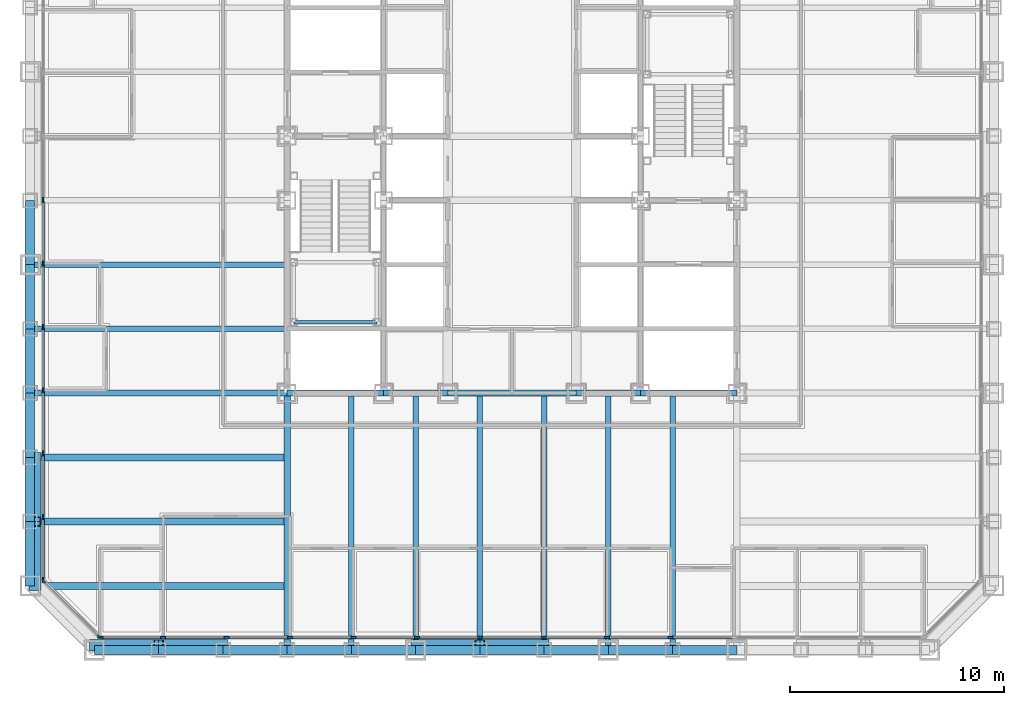
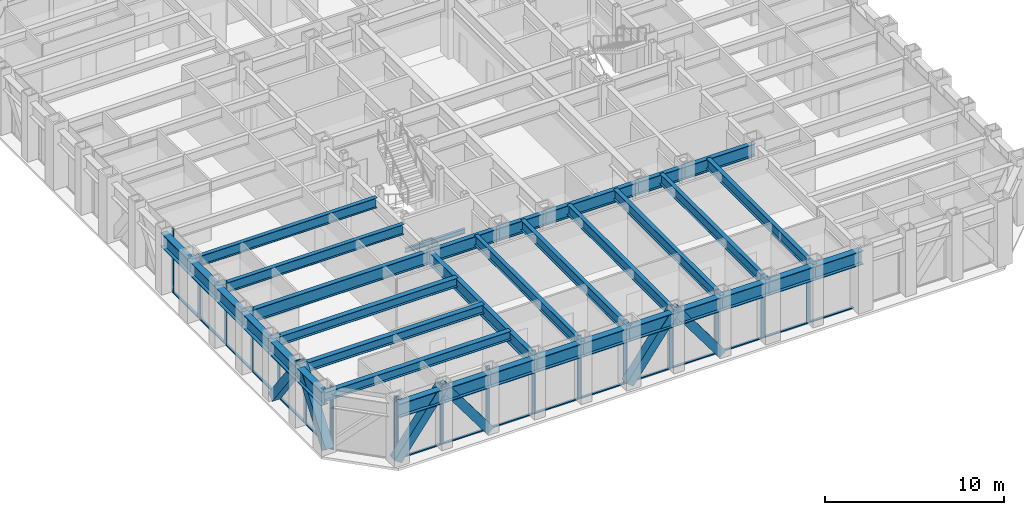
# One storey, part 2 of 16: 41 members, 35 beams, 3 elements without a shape of their own.
"""IFC4 building model written with IfcOpenShell, lengths in metres."""

import ifcopenshell
import ifcopenshell.guid

model = None  # the IFC model being written
_history = None  # IfcOwnerHistory: only IFC2X3 demands one
_inside = {}  # id of a spatial element -> (the spatial element, [elements in it])
_under = {}  # id of a project, library or spatial element -> (it, [spatial elements below it])
_declared = {}  # id of a project -> (the project, [libraries it declares])
_typed = {}  # id of a type object -> (the type object, [elements of that type])
_made_of = {}  # id of a material, layer set ... -> (it, [elements and type objects made of it])


def new_model(schema):
    """Start an empty IFC model of exactly this schema.

    Asked for "IFC4X3", IfcOpenShell would pick the latest addendum, in which some entities
    have other attributes; the version numbers below select the first issue.
    IFC2X3 requires an IfcOwnerHistory on every rooted entity: one is made here for all.
    """
    global model, _history
    if schema == "IFC4X3":
        model = ifcopenshell.file(schema_version=(4, 3, 0, 0))
    else:
        model = ifcopenshell.file(schema=schema)
    _inside.clear()
    _under.clear()
    _declared.clear()
    _typed.clear()
    _made_of.clear()
    _history = None
    if model.schema == "IFC2X3":
        org = make("IfcOrganization", Name="unknown")
        user = make(
            "IfcPersonAndOrganization",
            ThePerson=make("IfcPerson", FamilyName="unknown"),
            TheOrganization=org,
        )
        app = make(
            "IfcApplication",
            ApplicationDeveloper=org,
            Version="unknown",
            ApplicationFullName="unknown",
            ApplicationIdentifier="unknown",
        )
        _history = make(
            "IfcOwnerHistory",
            OwningUser=user,
            OwningApplication=app,
            ChangeAction="ADDED",
            CreationDate=0,
        )
    return model


def make(cls, **values):
    """One entity of the class cls with the attributes given. An attribute that is None is left unset."""
    return model.create_entity(
        cls, **{name: value for name, value in values.items() if value is not None}
    )


def rooted(cls, **values):
    """An entity with a GlobalId (a new one), such as an element, a storey or a relation."""
    return make(cls, GlobalId=ifcopenshell.guid.new(), OwnerHistory=_history, **values)


def si_unit(unit_type, name, prefix=None):
    """IfcSIUnit, for example si_unit("LENGTHUNIT", "METRE", prefix="MILLI")."""
    return make("IfcSIUnit", UnitType=unit_type, Prefix=prefix, Name=name)


def assignment(units):
    """IfcUnitAssignment: the units of a project."""
    return None if units is None else make("IfcUnitAssignment", Units=units)


def point(xyz):
    """IfcCartesianPoint."""
    return None if xyz is None else make("IfcCartesianPoint", Coordinates=xyz)


def direction(xyz):
    """IfcDirection."""
    return None if xyz is None else make("IfcDirection", DirectionRatios=xyz)


def frame(location, z_axis=None, x_axis=None):
    """IfcAxis2Placement3D, a coordinate frame: its origin and axes. An axis left out is left unset."""
    return make(
        "IfcAxis2Placement3D",
        Location=point(location),
        Axis=direction(z_axis),
        RefDirection=direction(x_axis),
    )


def frame_2d(location, x_axis=None):
    """IfcAxis2Placement2D, a coordinate frame in the plane: its origin and x axis."""
    return make(
        "IfcAxis2Placement2D", Location=point(location), RefDirection=direction(x_axis)
    )


def origin():
    """The frame at (0, 0, 0) with its axes left unset."""
    return frame((0.0, 0.0, 0.0))


def origin_2d():
    """The frame at (0, 0) in the plane with its x axis left unset."""
    return frame_2d((0.0, 0.0))


def place(relative_to, where):
    """IfcLocalPlacement: puts the frame where relative to a parent placement (None: the world)."""
    return make(
        "IfcLocalPlacement", PlacementRelTo=relative_to, RelativePlacement=where
    )


def context(
    kind, dimensions, precision=None, world=None, true_north=None, identifier=None
):
    """IfcGeometricRepresentationContext, for example the 3D "Model" context."""
    return make(
        "IfcGeometricRepresentationContext",
        ContextIdentifier=identifier,
        ContextType=kind,
        CoordinateSpaceDimension=dimensions,
        Precision=precision,
        WorldCoordinateSystem=world,
        TrueNorth=true_north,
    )


def subcontext(parent, identifier, kind, view, scale=None):
    """IfcGeometricRepresentationSubContext, for example "Body" below "Model"."""
    return make(
        "IfcGeometricRepresentationSubContext",
        ContextIdentifier=identifier,
        ContextType=kind,
        ParentContext=parent,
        TargetScale=scale,
        TargetView=view,
    )


def project(units=None, contexts=None):
    """IfcProject with its units and contexts."""
    return rooted(
        "IfcProject",
        Name="project",
        RepresentationContexts=contexts,
        UnitsInContext=assignment(units),
    )


def spatial(cls, under=None, at=None, **own):
    """A site, building, storey or space (cls), placed at a placement, below another one or the project."""
    s = rooted(cls, ObjectPlacement=at, **own)
    if under is not None:
        _under.setdefault(under.id(), (under, []))[1].append(s)
    return s


def profile(cls, at=None, kind="AREA", **sizes):
    """A parametric profile (cls). Its sizes go by their IFC names, for example OverallWidth=200.0."""
    return make(cls, ProfileType=kind, Position=at, **sizes)


def rectangle(**sizes):
    """IfcRectangleProfileDef."""
    return profile("IfcRectangleProfileDef", **sizes)


def hollow_rectangle(**sizes):
    """IfcRectangleHollowProfileDef."""
    return profile("IfcRectangleHollowProfileDef", **sizes)


def i_section(**sizes):
    """IfcIShapeProfileDef."""
    return profile("IfcIShapeProfileDef", **sizes)


def extrude(swept, where, along, depth):
    """IfcExtrudedAreaSolid: the profile swept, set in the frame where, extruded along a direction by depth."""
    return make(
        "IfcExtrudedAreaSolid",
        SweptArea=swept,
        Position=where,
        ExtrudedDirection=direction(along),
        Depth=depth,
    )


def shape(context_of_items, identifier, shape_type, items):
    """IfcShapeRepresentation: the items that make up one representation, for example the "Body"."""
    return make(
        "IfcShapeRepresentation",
        ContextOfItems=context_of_items,
        RepresentationIdentifier=identifier,
        RepresentationType=shape_type,
        Items=items,
    )


def material(Name=None, Category=None):
    """IfcMaterial."""
    return make("IfcMaterial", Name=Name, Category=Category)


def layer(
    of_material, thickness, ventilated=None, Name=None, Category=None, Priority=None
):
    """IfcMaterialLayer: one layer of a wall or slab, of a material (None: an air gap)."""
    return make(
        "IfcMaterialLayer",
        Material=of_material,
        LayerThickness=thickness,
        IsVentilated=ventilated,
        Name=Name,
        Category=Category,
        Priority=Priority,
    )


def layer_set(layers, Name=None):
    """IfcMaterialLayerSet."""
    return make("IfcMaterialLayerSet", MaterialLayers=layers, LayerSetName=Name)


def material_profile(
    of_material, cross_section, Name=None, Category=None, Priority=None
):
    """IfcMaterialProfile: a cross section and its material."""
    return make(
        "IfcMaterialProfile",
        Name=Name,
        Material=of_material,
        Profile=cross_section,
        Priority=Priority,
        Category=Category,
    )


def profile_set(profiles, Name=None, composite=None):
    """IfcMaterialProfileSet."""
    return make(
        "IfcMaterialProfileSet",
        Name=Name,
        MaterialProfiles=profiles,
        CompositeProfile=composite,
    )


def made_of(thing, what):
    """Note that an element or type object is made of a material, layer set ...; save() writes the relation."""
    if what is not None:
        _made_of.setdefault(what.id(), (what, []))[1].append(thing)
    return thing


def type_object(cls, material=None, **own):
    """A type object (cls), such as IfcWallType, which elements share."""
    return made_of(rooted(cls, **own), material)


def element(
    cls,
    number,
    at=None,
    inside=None,
    cuts=None,
    type_object=None,
    material=None,
    context=None,
    identifier="Body",
    shape_type=None,
    held_by="IfcProductDefinitionShape",
    body=None,
    shapes=None,
    **own,
):
    """One element of the class cls, such as IfcWall. Its Tag is "e" and its number.

    at: its placement. inside: the storey or other place that contains it. cuts: it is an
    opening in that element (IfcRelVoidsElement). A single representation is given by context,
    identifier, shape_type and body (its items); several are given by shapes. held_by: the class
    of the entity that holds the representations. save() writes the other relations.
    """
    e = rooted(cls, Tag="e%d" % number, ObjectPlacement=at, **own)
    if body is not None:
        shapes = [shape(context, identifier, shape_type, body)]
    if shapes is not None:
        e.Representation = make(held_by, Representations=shapes)
    if inside is not None:
        _inside.setdefault(inside.id(), (inside, []))[1].append(e)
    if cuts is not None:
        rooted(
            "IfcRelVoidsElement", RelatingBuildingElement=cuts, RelatedOpeningElement=e
        )
    if type_object is not None:
        _typed.setdefault(type_object.id(), (type_object, []))[1].append(e)
    return made_of(e, material)


def aggregate(whole, parts):
    """IfcRelAggregates: a whole, such as a stair, and the parts it consists of."""
    return rooted("IfcRelAggregates", RelatingObject=whole, RelatedObjects=parts)


def save(model, path):
    """Write the relations noted so far, then the file.

    IfcRelAggregates (storeys below a building ...), IfcRelContainedInSpatialStructure (elements
    in a storey), IfcRelDefinesByType, IfcRelAssociatesMaterial and IfcRelDeclares: one each for
    every whole, place, type object, material and project.
    """
    for whole, parts in _under.values():
        aggregate(whole, parts)
    for where, things in _inside.values():
        rooted(
            "IfcRelContainedInSpatialStructure",
            RelatedElements=things,
            RelatingStructure=where,
        )
    for kind, things in _typed.values():
        rooted("IfcRelDefinesByType", RelatedObjects=things, RelatingType=kind)
    for what, things in _made_of.values():
        rooted("IfcRelAssociatesMaterial", RelatedObjects=things, RelatingMaterial=what)
    for by, libraries in _declared.values():
        rooted("IfcRelDeclares", RelatingContext=by, RelatedDefinitions=libraries)
    model.write(path)


model = new_model("IFC4")

# Units and contexts
model_context = context("Model", 3, precision=1e-05, world=origin(), true_north=direction((0.0, 1.0)))
body_context = subcontext(model_context, "Body", "Model", "MODEL_VIEW")
ifc_project = project(units=[si_unit("LENGTHUNIT", "METRE"), si_unit("AREAUNIT", "SQUARE_METRE"), si_unit("VOLUMEUNIT", "CUBIC_METRE"), si_unit("PLANEANGLEUNIT", "RADIAN"), si_unit("MASSUNIT", "GRAM", prefix="KILO")], contexts=[model_context])

# Site, building, storey
site_placement = place(None, origin())
site = spatial("IfcSite", under=ifc_project, at=site_placement, CompositionType="ELEMENT")
building_placement = place(site_placement, origin())
building = spatial("IfcBuilding", under=site, at=building_placement, Name="Chuquiago Exchange Tower", CompositionType="ELEMENT")
storey_placement = place(building_placement, frame((0.0, 0.0, 51.300048828125)))
storey = spatial("IfcBuildingStorey", under=building, at=storey_placement, Name="L10", CompositionType="ELEMENT", Elevation=51.300048828125)

# Beams
ifc_material_1 = material(Name="Steel ASTM A992", Category="steel")
ifc_material_profile_1 = material_profile(ifc_material_1, i_section(OverallWidth=0.2919921875, OverallDepth=0.8583984375, WebThickness=0.01708984375, FlangeThickness=0.031005859375, at=origin_2d()), Name="W33X169")
ifc_profile_set_1 = profile_set([ifc_material_profile_1], Name="Steel ASTM A992")
beam_type_1 = type_object("IfcBeamType", Name="B3 W33X169", PredefinedType="BEAM", material=ifc_profile_set_1)
beam_1_placement = place(storey_placement, frame((12.0, 12.0, 3.610595703125), z_axis=(1.0, 0.0, 0.0), x_axis=(0.0, 1.0, 0.0)))
element("IfcBeam", 1, at=beam_1_placement, inside=storey, type_object=beam_type_1, Name="CB-L11-12_12-16.5_12", PredefinedType="BEAM", context=body_context, shape_type="SweptSolid", body=[
    extrude(i_section(OverallWidth=0.2919921875, OverallDepth=0.8583984375, WebThickness=0.01708984375, FlangeThickness=0.031005859375, at=origin_2d()), origin(), (0.0, 0.0, 1.0), 4.5),
])
beam_2_placement = place(storey_placement, frame((16.5, 12.0, 3.610595703125), z_axis=(1.0, 0.0, 0.0), x_axis=(0.0, 1.0, 0.0)))
element("IfcBeam", 2, at=beam_2_placement, inside=storey, type_object=beam_type_1, Name="CB-L11-16.5_12-19.5_12", PredefinedType="BEAM", context=body_context, shape_type="SweptSolid", body=[
    extrude(i_section(OverallWidth=0.2919921875, OverallDepth=0.8583984375, WebThickness=0.01708984375, FlangeThickness=0.031005859375, at=origin_2d()), origin(), (0.0, 0.0, 1.0), 3.0),
])
beam_3_placement = place(storey_placement, frame((19.5, 12.0, 3.610595703125), z_axis=(1.0, 0.0, 0.0), x_axis=(0.0, 1.0, 0.0)))
element("IfcBeam", 3, at=beam_3_placement, inside=storey, type_object=beam_type_1, Name="CB-L11-19.5_12-25.5_12", PredefinedType="BEAM", context=body_context, shape_type="SweptSolid", body=[
    extrude(i_section(OverallWidth=0.2919921875, OverallDepth=0.8583984375, WebThickness=0.01708984375, FlangeThickness=0.031005859375, at=origin_2d()), origin(), (0.0, 0.0, 1.0), 6.0),
])
beam_4_placement = place(storey_placement, frame((25.5, 12.0, 3.610595703125), z_axis=(1.0, 0.0, 0.0), x_axis=(0.0, 1.0, 0.0)))
element("IfcBeam", 4, at=beam_4_placement, inside=storey, type_object=beam_type_1, Name="CB-L11-25.5_12-28.5_12", PredefinedType="BEAM", context=body_context, shape_type="SweptSolid", body=[
    extrude(i_section(OverallWidth=0.2919921875, OverallDepth=0.8583984375, WebThickness=0.01708984375, FlangeThickness=0.031005859375, at=origin_2d()), origin(), (0.0, 0.0, 1.0), 3.0),
])
beam_5_placement = place(storey_placement, frame((28.5, 12.0, 3.610595703125), z_axis=(1.0, 0.0, 0.0), x_axis=(0.0, 1.0, 0.0)))
element("IfcBeam", 5, at=beam_5_placement, inside=storey, type_object=beam_type_1, Name="CB-L11-28.5_12-33_12", PredefinedType="BEAM", context=body_context, shape_type="SweptSolid", body=[
    extrude(i_section(OverallWidth=0.2919921875, OverallDepth=0.8583984375, WebThickness=0.01708984375, FlangeThickness=0.031005859375, at=origin_2d()), origin(), (0.0, 0.0, 1.0), 4.5),
])
ifc_material_2 = material(Name="Steel ASTM A992", Category="steel")
ifc_material_profile_2 = material_profile(ifc_material_2, i_section(OverallWidth=0.256591796875, OverallDepth=0.693359375, WebThickness=0.014404296875, FlangeThickness=0.023681640625, at=origin_2d()), Name="W27X114")
ifc_profile_set_2 = profile_set([ifc_material_profile_2], Name="Steel ASTM A992")
beam_type_2 = type_object("IfcBeamType", Name="B4 W27X114", PredefinedType="BEAM", material=ifc_profile_set_2)
for number, where, z_axis, x_axis, name in (
    (6, (15.0, 12.0, 3.693359375), (0.0, -1.0, 0.0), (1.0, 0.0, 0.0), "FB-L11-infill-15_12-15_-0-0"),
    (7, (18.0, 12.0, 3.693359375), (0.0, -1.0, 0.0), (1.0, 0.0, 0.0), "FB-L11-infill-18_12-18_-0-0"),
    (8, (21.0, 12.0, 3.693359375), (0.0, -1.0, 0.0), (1.0, 0.0, 0.0), "FB-L11-infill-21_12-21_-0-0"),
    (9, (24.0, 12.0, 3.693359375), (0.0, -1.0, 0.0), (1.0, 0.0, 0.0), "FB-L11-infill-24_12-24_-0-0"),
    (10, (27.0, 12.0, 3.693359375), (0.0, -1.0, 0.0), (1.0, 0.0, 0.0), "FB-L11-infill-27_12-27_-0-0"),
    (11, (30.0, 12.0, 3.693359375), (0.0, -1.0, 0.0), (1.0, 0.0, 0.0), "FB-L11-infill-30_12-30_-0-0"),
    (12, (12.0, 15.0, 3.693359375), (-1.0, 0.0, 0.0), (0.0, -1.0, 0.0), "FB-L11-infill-12_15--0_15-0"),
    (13, (12.0, 18.0, 3.693359375), (-1.0, 0.0, 0.0), (0.0, -1.0, 0.0), "FB-L11-infill-12_18--0_18-0"),
):
    element("IfcBeam", number, at=place(storey_placement, frame(where, z_axis=z_axis, x_axis=x_axis)), inside=storey, type_object=beam_type_2, Name=name, PredefinedType="BEAM", context=body_context, shape_type="SweptSolid", body=[
        extrude(i_section(OverallWidth=0.256591796875, OverallDepth=0.693359375, WebThickness=0.014404296875, FlangeThickness=0.023681640625, at=origin_2d()), origin(), (0.0, 0.0, 1.0), 12.0),
    ])
ifc_material_3 = material(Name="Steel ASTM A992", Category="steel")
ifc_material_profile_3 = material_profile(ifc_material_3, i_section(OverallWidth=0.3251953125, OverallDepth=0.6171875, WebThickness=0.013916015625, FlangeThickness=0.021484375, at=origin_2d()), Name="W24X117")
ifc_profile_set_3 = profile_set([ifc_material_profile_3], Name="Steel ASTM A992")
beam_type_3 = type_object("IfcBeamType", Name="B5 W24X117", PredefinedType="BEAM", material=ifc_profile_set_3)
for number, where, z_axis, x_axis, name in (
    (14, (12.0, 3.0, 3.7314453125), (-1.0, 0.0, 0.0), (0.0, -1.0, 0.0), "FB-L11-corner-12_3--0_3-0"),
    (15, (12.0, 6.0, 3.7314453125), (-1.0, 0.0, 0.0), (0.0, -1.0, 0.0), "FB-L11-corner-12_6--0_6-0"),
    (16, (12.0, 9.0, 3.7314453125), (-1.0, 0.0, 0.0), (0.0, -1.0, 0.0), "FB-L11-corner-12_9--0_9-0"),
):
    element("IfcBeam", number, at=place(storey_placement, frame(where, z_axis=z_axis, x_axis=x_axis)), inside=storey, type_object=beam_type_3, Name=name, PredefinedType="BEAM", context=body_context, shape_type="SweptSolid", body=[
        extrude(i_section(OverallWidth=0.3251953125, OverallDepth=0.6171875, WebThickness=0.013916015625, FlangeThickness=0.021484375, at=origin_2d()), origin(), (0.0, 0.0, 1.0), 12.0),
    ])

# Curtain wall, members
ifc_material_4 = material(Name="Aluminium curtain wall system", Category="aluminium")
ifc_layer_1 = layer(ifc_material_4, 0.25)
ifc_layer_set_1 = layer_set([ifc_layer_1], Name="CW1 trading floor curtain wall")
curtain_wall_type_1 = type_object("IfcCurtainWallType", Name="CW1 trading floor curtain wall", PredefinedType="NOTDEFINED", material=ifc_layer_set_1)
curtain_wall_1_placement = place(storey_placement, origin())
curtain_wall_1 = element("IfcCurtainWall", 17, at=curtain_wall_1_placement, inside=storey, type_object=curtain_wall_type_1, Name="CW1 curtain wall L10", PredefinedType="NOTDEFINED")
ifc_material_5 = material(Name="Aluminium mullion, pale anodised", Category="aluminium")
ifc_material_profile_4 = material_profile(ifc_material_5, rectangle(XDim=0.074951171875, YDim=0.25, at=origin_2d()), Name="AL 75x250")
ifc_profile_set_4 = profile_set([ifc_material_profile_4], Name="Aluminium mullion, pale anodised")
member_type_1 = type_object("IfcMemberType", Name="CW1-M mullion 75x250", PredefinedType="MULLION", material=ifc_profile_set_4)
member_1_placement = place(storey_placement, frame((3.285888671875, 0.60009765625, -0.300048828125), z_axis=(0.0, 0.0, 1.0), x_axis=(0.0, 1.0, 0.0)))
member_1 = element("IfcMember", 18, at=member_1_placement, type_object=member_type_1, Name="CW1 mullion 1", PredefinedType="MULLION", context=body_context, shape_type="SweptSolid", body=[
    extrude(rectangle(XDim=0.074951171875, YDim=0.25, at=origin_2d()), origin(), (0.0, 0.0, 1.0), 4.340087890625),
])
member_2_placement = place(storey_placement, frame((6.210205078125, 0.60009765625, -0.300048828125), z_axis=(0.0, 0.0, 1.0), x_axis=(0.0, 1.0, 0.0)))
member_2 = element("IfcMember", 19, at=member_2_placement, type_object=member_type_1, Name="CW1 mullion 2", PredefinedType="MULLION", context=body_context, shape_type="SweptSolid", body=[
    extrude(rectangle(XDim=0.074951171875, YDim=0.25, at=origin_2d()), origin(), (0.0, 0.0, 1.0), 4.340087890625),
])
member_3_placement = place(storey_placement, frame((9.172119140625, 0.60009765625, -0.300048828125), z_axis=(0.0, 0.0, 1.0), x_axis=(0.0, 1.0, 0.0)))
member_3 = element("IfcMember", 20, at=member_3_placement, type_object=member_type_1, Name="CW1 mullion 3", PredefinedType="MULLION", context=body_context, shape_type="SweptSolid", body=[
    extrude(rectangle(XDim=0.074951171875, YDim=0.25, at=origin_2d()), origin(), (0.0, 0.0, 1.0), 4.340087890625),
])
member_4_placement = place(storey_placement, frame((12.1337890625, 0.60009765625, -0.300048828125), z_axis=(0.0, 0.0, 1.0), x_axis=(0.0, 1.0, 0.0)))
member_4 = element("IfcMember", 21, at=member_4_placement, type_object=member_type_1, Name="CW1 mullion 4", PredefinedType="MULLION", context=body_context, shape_type="SweptSolid", body=[
    extrude(rectangle(XDim=0.074951171875, YDim=0.25, at=origin_2d()), origin(), (0.0, 0.0, 1.0), 4.340087890625),
])
member_5_placement = place(storey_placement, frame((15.095458984375, 0.60009765625, -0.300048828125), z_axis=(0.0, 0.0, 1.0), x_axis=(0.0, 1.0, 0.0)))
member_5 = element("IfcMember", 22, at=member_5_placement, type_object=member_type_1, Name="CW1 mullion 5", PredefinedType="MULLION", context=body_context, shape_type="SweptSolid", body=[
    extrude(rectangle(XDim=0.074951171875, YDim=0.25, at=origin_2d()), origin(), (0.0, 0.0, 1.0), 4.340087890625),
])
member_6_placement = place(storey_placement, frame((18.057373046875, 0.60009765625, -0.300048828125), z_axis=(0.0, 0.0, 1.0), x_axis=(0.0, 1.0, 0.0)))
member_6 = element("IfcMember", 23, at=member_6_placement, type_object=member_type_1, Name="CW1 mullion 6", PredefinedType="MULLION", context=body_context, shape_type="SweptSolid", body=[
    extrude(rectangle(XDim=0.074951171875, YDim=0.25, at=origin_2d()), origin(), (0.0, 0.0, 1.0), 4.340087890625),
])
member_7_placement = place(storey_placement, frame((21.01904296875, 0.60009765625, -0.300048828125), z_axis=(0.0, 0.0, 1.0), x_axis=(0.0, 1.0, 0.0)))
member_7 = element("IfcMember", 24, at=member_7_placement, type_object=member_type_1, Name="CW1 mullion 7", PredefinedType="MULLION", context=body_context, shape_type="SweptSolid", body=[
    extrude(rectangle(XDim=0.074951171875, YDim=0.25, at=origin_2d()), origin(), (0.0, 0.0, 1.0), 4.340087890625),
])
member_8_placement = place(storey_placement, frame((23.98095703125, 0.60009765625, -0.300048828125), z_axis=(0.0, 0.0, 1.0), x_axis=(0.0, 1.0, 0.0)))
member_8 = element("IfcMember", 25, at=member_8_placement, type_object=member_type_1, Name="CW1 mullion 8", PredefinedType="MULLION", context=body_context, shape_type="SweptSolid", body=[
    extrude(rectangle(XDim=0.074951171875, YDim=0.25, at=origin_2d()), origin(), (0.0, 0.0, 1.0), 4.340087890625),
])
member_9_placement = place(storey_placement, frame((26.942626953125, 0.60009765625, -0.300048828125), z_axis=(0.0, 0.0, 1.0), x_axis=(0.0, 1.0, 0.0)))
member_9 = element("IfcMember", 26, at=member_9_placement, type_object=member_type_1, Name="CW1 mullion 9", PredefinedType="MULLION", context=body_context, shape_type="SweptSolid", body=[
    extrude(rectangle(XDim=0.074951171875, YDim=0.25, at=origin_2d()), origin(), (0.0, 0.0, 1.0), 4.340087890625),
])
member_10_placement = place(storey_placement, frame((29.904541015625, 0.60009765625, -0.300048828125), z_axis=(0.0, 0.0, 1.0), x_axis=(0.0, 1.0, 0.0)))
member_10 = element("IfcMember", 27, at=member_10_placement, type_object=member_type_1, Name="CW1 mullion 10", PredefinedType="MULLION", context=body_context, shape_type="SweptSolid", body=[
    extrude(rectangle(XDim=0.074951171875, YDim=0.25, at=origin_2d()), origin(), (0.0, 0.0, 1.0), 4.340087890625),
])

curtain_wall_2_placement = place(storey_placement, origin())
curtain_wall_2 = element("IfcCurtainWall", 28, at=curtain_wall_2_placement, inside=storey, type_object=curtain_wall_type_1, Name="CW1 curtain wall L10", PredefinedType="NOTDEFINED")
member_11_placement = place(storey_placement, frame((0.60009765625, 21.01904296875, -0.300048828125), z_axis=(0.0, 0.0, 1.0), x_axis=(1.0, 0.0, 0.0)))
member_11 = element("IfcMember", 29, at=member_11_placement, type_object=member_type_1, Name="CW1 mullion 8", PredefinedType="MULLION", context=body_context, shape_type="SweptSolid", body=[
    extrude(rectangle(XDim=0.074951171875, YDim=0.25, at=origin_2d()), origin(), (0.0, 0.0, 1.0), 4.340087890625),
])
member_12_placement = place(storey_placement, frame((0.60009765625, 18.057373046875, -0.300048828125), z_axis=(0.0, 0.0, 1.0), x_axis=(1.0, 0.0, 0.0)))
member_12 = element("IfcMember", 30, at=member_12_placement, type_object=member_type_1, Name="CW1 mullion 9", PredefinedType="MULLION", context=body_context, shape_type="SweptSolid", body=[
    extrude(rectangle(XDim=0.074951171875, YDim=0.25, at=origin_2d()), origin(), (0.0, 0.0, 1.0), 4.340087890625),
])
member_13_placement = place(storey_placement, frame((0.60009765625, 15.095458984375, -0.300048828125), z_axis=(0.0, 0.0, 1.0), x_axis=(1.0, 0.0, 0.0)))
member_13 = element("IfcMember", 31, at=member_13_placement, type_object=member_type_1, Name="CW1 mullion 10", PredefinedType="MULLION", context=body_context, shape_type="SweptSolid", body=[
    extrude(rectangle(XDim=0.074951171875, YDim=0.25, at=origin_2d()), origin(), (0.0, 0.0, 1.0), 4.340087890625),
])
member_14_placement = place(storey_placement, frame((0.60009765625, 12.1337890625, -0.300048828125), z_axis=(0.0, 0.0, 1.0), x_axis=(1.0, 0.0, 0.0)))
member_14 = element("IfcMember", 32, at=member_14_placement, type_object=member_type_1, Name="CW1 mullion 11", PredefinedType="MULLION", context=body_context, shape_type="SweptSolid", body=[
    extrude(rectangle(XDim=0.074951171875, YDim=0.25, at=origin_2d()), origin(), (0.0, 0.0, 1.0), 4.340087890625),
])
member_15_placement = place(storey_placement, frame((0.60009765625, 9.172119140625, -0.300048828125), z_axis=(0.0, 0.0, 1.0), x_axis=(1.0, 0.0, 0.0)))
member_15 = element("IfcMember", 33, at=member_15_placement, type_object=member_type_1, Name="CW1 mullion 12", PredefinedType="MULLION", context=body_context, shape_type="SweptSolid", body=[
    extrude(rectangle(XDim=0.074951171875, YDim=0.25, at=origin_2d()), origin(), (0.0, 0.0, 1.0), 4.340087890625),
])
member_16_placement = place(storey_placement, frame((0.60009765625, 6.210205078125, -0.300048828125), z_axis=(0.0, 0.0, 1.0), x_axis=(1.0, 0.0, 0.0)))
member_16 = element("IfcMember", 34, at=member_16_placement, type_object=member_type_1, Name="CW1 mullion 13", PredefinedType="MULLION", context=body_context, shape_type="SweptSolid", body=[
    extrude(rectangle(XDim=0.074951171875, YDim=0.25, at=origin_2d()), origin(), (0.0, 0.0, 1.0), 4.340087890625),
])
member_17_placement = place(storey_placement, frame((0.60009765625, 3.285888671875, -0.300048828125), z_axis=(0.0, 0.0, 1.0), x_axis=(1.0, 0.0, 0.0)))
member_17 = element("IfcMember", 35, at=member_17_placement, type_object=member_type_1, Name="CW1 mullion 14", PredefinedType="MULLION", context=body_context, shape_type="SweptSolid", body=[
    extrude(rectangle(XDim=0.074951171875, YDim=0.25, at=origin_2d()), origin(), (0.0, 0.0, 1.0), 4.340087890625),
])

# Member
ifc_material_6 = material(Name="Aluminium transom, pale anodised", Category="aluminium")
ifc_material_profile_5 = material_profile(ifc_material_6, rectangle(XDim=0.14990234375, YDim=0.074951171875, at=origin_2d()), Name="AL 150x75")
ifc_profile_set_5 = profile_set([ifc_material_profile_5], Name="Aluminium transom, pale anodised")
member_type_2 = type_object("IfcMemberType", Name="CW1-T transom 75x150", PredefinedType="MULLION", material=ifc_profile_set_5)
member_18_placement = place(storey_placement, frame((3.323486328125, 0.60009765625, -0.262451171875), z_axis=(1.0, 0.0, 0.0), x_axis=(0.0, 1.0, 0.0)))
member_18 = element("IfcMember", 36, at=member_18_placement, type_object=member_type_2, Name="CW1 transom 1.1", PredefinedType="MULLION", context=body_context, shape_type="SweptSolid", body=[
    extrude(rectangle(XDim=0.14990234375, YDim=0.074951171875, at=origin_2d()), origin(), (0.0, 0.0, 1.0), 2.849365234375),
])

member_19_placement = place(storey_placement, frame((6.247802734375, 0.60009765625, -0.262451171875), z_axis=(1.0, 0.0, 0.0), x_axis=(0.0, 1.0, 0.0)))
member_19 = element("IfcMember", 37, at=member_19_placement, type_object=member_type_2, Name="CW1 transom 2.1", PredefinedType="MULLION", context=body_context, shape_type="SweptSolid", body=[
    extrude(rectangle(XDim=0.14990234375, YDim=0.074951171875, at=origin_2d()), origin(), (0.0, 0.0, 1.0), 2.88671875),
])

member_20_placement = place(storey_placement, frame((9.20947265625, 0.60009765625, -0.262451171875), z_axis=(1.0, 0.0, 0.0), x_axis=(0.0, 1.0, 0.0)))
member_20 = element("IfcMember", 38, at=member_20_placement, type_object=member_type_2, Name="CW1 transom 3.1", PredefinedType="MULLION", context=body_context, shape_type="SweptSolid", body=[
    extrude(rectangle(XDim=0.14990234375, YDim=0.074951171875, at=origin_2d()), origin(), (0.0, 0.0, 1.0), 2.88671875),
])

member_21_placement = place(storey_placement, frame((12.17138671875, 0.60009765625, -0.262451171875), z_axis=(1.0, 0.0, 0.0), x_axis=(0.0, 1.0, 0.0)))
member_21 = element("IfcMember", 39, at=member_21_placement, type_object=member_type_2, Name="CW1 transom 4.1", PredefinedType="MULLION", context=body_context, shape_type="SweptSolid", body=[
    extrude(rectangle(XDim=0.14990234375, YDim=0.074951171875, at=origin_2d()), origin(), (0.0, 0.0, 1.0), 2.88671875),
])

member_22_placement = place(storey_placement, frame((15.133056640625, 0.60009765625, -0.262451171875), z_axis=(1.0, 0.0, 0.0), x_axis=(0.0, 1.0, 0.0)))
member_22 = element("IfcMember", 40, at=member_22_placement, type_object=member_type_2, Name="CW1 transom 5.1", PredefinedType="MULLION", context=body_context, shape_type="SweptSolid", body=[
    extrude(rectangle(XDim=0.14990234375, YDim=0.074951171875, at=origin_2d()), origin(), (0.0, 0.0, 1.0), 2.88671875),
])

member_23_placement = place(storey_placement, frame((18.0947265625, 0.60009765625, -0.262451171875), z_axis=(1.0, 0.0, 0.0), x_axis=(0.0, 1.0, 0.0)))
member_23 = element("IfcMember", 41, at=member_23_placement, type_object=member_type_2, Name="CW1 transom 6.1", PredefinedType="MULLION", context=body_context, shape_type="SweptSolid", body=[
    extrude(rectangle(XDim=0.14990234375, YDim=0.074951171875, at=origin_2d()), origin(), (0.0, 0.0, 1.0), 2.886962890625),
])

member_24_placement = place(storey_placement, frame((21.056640625, 0.60009765625, -0.262451171875), z_axis=(1.0, 0.0, 0.0), x_axis=(0.0, 1.0, 0.0)))
member_24 = element("IfcMember", 42, at=member_24_placement, type_object=member_type_2, Name="CW1 transom 7.1", PredefinedType="MULLION", context=body_context, shape_type="SweptSolid", body=[
    extrude(rectangle(XDim=0.14990234375, YDim=0.074951171875, at=origin_2d()), origin(), (0.0, 0.0, 1.0), 2.88671875),
])

member_25_placement = place(storey_placement, frame((24.018310546875, 0.60009765625, -0.262451171875), z_axis=(1.0, 0.0, 0.0), x_axis=(0.0, 1.0, 0.0)))
member_25 = element("IfcMember", 43, at=member_25_placement, type_object=member_type_2, Name="CW1 transom 8.1", PredefinedType="MULLION", context=body_context, shape_type="SweptSolid", body=[
    extrude(rectangle(XDim=0.14990234375, YDim=0.074951171875, at=origin_2d()), origin(), (0.0, 0.0, 1.0), 2.886962890625),
])

member_26_placement = place(storey_placement, frame((26.980224609375, 0.60009765625, -0.262451171875), z_axis=(1.0, 0.0, 0.0), x_axis=(0.0, 1.0, 0.0)))
member_26 = element("IfcMember", 44, at=member_26_placement, type_object=member_type_2, Name="CW1 transom 9.1", PredefinedType="MULLION", context=body_context, shape_type="SweptSolid", body=[
    extrude(rectangle(XDim=0.14990234375, YDim=0.074951171875, at=origin_2d()), origin(), (0.0, 0.0, 1.0), 2.88671875),
])

member_27_placement = place(storey_placement, frame((29.94189453125, 0.60009765625, -0.262451171875), z_axis=(1.0, 0.0, 0.0), x_axis=(0.0, 1.0, 0.0)))
member_27 = element("IfcMember", 45, at=member_27_placement, type_object=member_type_2, Name="CW1 transom 10.1", PredefinedType="MULLION", context=body_context, shape_type="SweptSolid", body=[
    extrude(rectangle(XDim=0.14990234375, YDim=0.074951171875, at=origin_2d()), origin(), (0.0, 0.0, 1.0), 2.88671875),
])

aggregate(curtain_wall_1, [member_1, member_2, member_3, member_4, member_5, member_6, member_7, member_8, member_9, member_10, member_18, member_19, member_20, member_21, member_22, member_23, member_24, member_25, member_26, member_27])

member_28_placement = place(storey_placement, frame((0.60009765625, 20.981689453125, -0.262451171875), z_axis=(0.0, -1.0, 0.0), x_axis=(1.0, 0.0, 0.0)))
member_28 = element("IfcMember", 46, at=member_28_placement, type_object=member_type_2, Name="CW1 transom 8.1", PredefinedType="MULLION", context=body_context, shape_type="SweptSolid", body=[
    extrude(rectangle(XDim=0.14990234375, YDim=0.074951171875, at=origin_2d()), origin(), (0.0, 0.0, 1.0), 2.886962890625),
])

member_29_placement = place(storey_placement, frame((0.60009765625, 18.019775390625, -0.262451171875), z_axis=(0.0, -1.0, 0.0), x_axis=(1.0, 0.0, 0.0)))
member_29 = element("IfcMember", 47, at=member_29_placement, type_object=member_type_2, Name="CW1 transom 9.1", PredefinedType="MULLION", context=body_context, shape_type="SweptSolid", body=[
    extrude(rectangle(XDim=0.14990234375, YDim=0.074951171875, at=origin_2d()), origin(), (0.0, 0.0, 1.0), 2.88671875),
])

member_30_placement = place(storey_placement, frame((0.60009765625, 15.05810546875, -0.262451171875), z_axis=(0.0, -1.0, 0.0), x_axis=(1.0, 0.0, 0.0)))
member_30 = element("IfcMember", 48, at=member_30_placement, type_object=member_type_2, Name="CW1 transom 10.1", PredefinedType="MULLION", context=body_context, shape_type="SweptSolid", body=[
    extrude(rectangle(XDim=0.14990234375, YDim=0.074951171875, at=origin_2d()), origin(), (0.0, 0.0, 1.0), 2.88671875),
])

member_31_placement = place(storey_placement, frame((0.60009765625, 12.09619140625, -0.262451171875), z_axis=(0.0, -1.0, 0.0), x_axis=(1.0, 0.0, 0.0)))
member_31 = element("IfcMember", 49, at=member_31_placement, type_object=member_type_2, Name="CW1 transom 11.1", PredefinedType="MULLION", context=body_context, shape_type="SweptSolid", body=[
    extrude(rectangle(XDim=0.14990234375, YDim=0.074951171875, at=origin_2d()), origin(), (0.0, 0.0, 1.0), 2.88671875),
])

member_32_placement = place(storey_placement, frame((0.60009765625, 9.134521484375, -0.262451171875), z_axis=(0.0, -1.0, 0.0), x_axis=(1.0, 0.0, 0.0)))
member_32 = element("IfcMember", 50, at=member_32_placement, type_object=member_type_2, Name="CW1 transom 12.1", PredefinedType="MULLION", context=body_context, shape_type="SweptSolid", body=[
    extrude(rectangle(XDim=0.14990234375, YDim=0.074951171875, at=origin_2d()), origin(), (0.0, 0.0, 1.0), 2.88671875),
])

member_33_placement = place(storey_placement, frame((0.60009765625, 6.1728515625, -0.262451171875), z_axis=(0.0, -1.0, 0.0), x_axis=(1.0, 0.0, 0.0)))
member_33 = element("IfcMember", 51, at=member_33_placement, type_object=member_type_2, Name="CW1 transom 13.1", PredefinedType="MULLION", context=body_context, shape_type="SweptSolid", body=[
    extrude(rectangle(XDim=0.14990234375, YDim=0.074951171875, at=origin_2d()), origin(), (0.0, 0.0, 1.0), 2.849365234375),
])

aggregate(curtain_wall_2, [member_11, member_12, member_13, member_14, member_15, member_16, member_17, member_28, member_29, member_30, member_31, member_32, member_33])

# Curtain wall, members
ifc_material_7 = material(Name="Aluminium curtain wall system", Category="aluminium")
ifc_layer_2 = layer(ifc_material_7, 0.199951171875)
ifc_layer_set_2 = layer_set([ifc_layer_2], Name="CW3 facet curtain wall")
curtain_wall_type_2 = type_object("IfcCurtainWallType", Name="CW3 facet curtain wall", PredefinedType="NOTDEFINED", material=ifc_layer_set_2)
curtain_wall_3_placement = place(storey_placement, origin())
curtain_wall_3 = element("IfcCurtainWall", 52, at=curtain_wall_3_placement, inside=storey, type_object=curtain_wall_type_2, Name="CW3 curtain wall L10", PredefinedType="NOTDEFINED")
ifc_material_8 = material(Name="Aluminium mullion, pale anodised", Category="aluminium")
ifc_material_profile_6 = material_profile(ifc_material_8, rectangle(XDim=0.06494140625, YDim=0.199951171875, at=origin_2d()), Name="AL 65x200")
ifc_profile_set_6 = profile_set([ifc_material_profile_6], Name="Aluminium mullion, pale anodised")
member_type_3 = type_object("IfcMemberType", Name="CW3-M mullion 65x200", PredefinedType="MULLION", material=ifc_profile_set_6)
member_34_placement = place(storey_placement, frame((0.623046875, 3.2255859375, -0.300048828125), z_axis=(0.0, 0.0, 1.0), x_axis=(0.707106781187, 0.707106781187, 0.0)))
member_34 = element("IfcMember", 53, at=member_34_placement, type_object=member_type_3, Name="CW3 mullion 1", PredefinedType="MULLION", context=body_context, shape_type="SweptSolid", body=[
    extrude(rectangle(XDim=0.06494140625, YDim=0.199951171875, at=origin_2d()), origin(), (0.0, 0.0, 1.0), 4.340087890625),
])
member_35_placement = place(storey_placement, frame((3.2255859375, 0.623046875, -0.300048828125), z_axis=(0.0, 0.0, 1.0), x_axis=(0.707106781187, 0.707106781187, 0.0)))
member_35 = element("IfcMember", 54, at=member_35_placement, type_object=member_type_3, Name="CW3 mullion 2", PredefinedType="MULLION", context=body_context, shape_type="SweptSolid", body=[
    extrude(rectangle(XDim=0.06494140625, YDim=0.199951171875, at=origin_2d()), origin(), (0.0, 0.0, 1.0), 4.340087890625),
])
aggregate(curtain_wall_3, [member_34, member_35])

# Beams
ifc_material_9 = material(Name="Steel ASTM A992", Category="steel")
ifc_material_profile_7 = material_profile(ifc_material_9, i_section(OverallWidth=0.2919921875, OverallDepth=0.8583984375, WebThickness=0.01708984375, FlangeThickness=0.031005859375, at=origin_2d()), Name="W33X169")
ifc_profile_set_7 = profile_set([ifc_material_profile_7], Name="Steel ASTM A992")
beam_type_4 = type_object("IfcBeamType", Name="G2 W33X169", PredefinedType="BEAM", material=ifc_profile_set_7)
for number, where, z_axis, x_axis, name in (
    (55, (12.0, 12.0, 3.610595703125), (0.0, -1.0, 0.0), (1.0, 0.0, 0.0), "FB-L11-girder-12_12-12_-0-0"),
    (56, (12.0, 12.0, 3.610595703125), (-1.0, 0.0, 0.0), (0.0, -1.0, 0.0), "FB-L11-girder-12_12--0_12-0"),
):
    element("IfcBeam", number, at=place(storey_placement, frame(where, z_axis=z_axis, x_axis=x_axis)), inside=storey, type_object=beam_type_4, Name=name, PredefinedType="BEAM", context=body_context, shape_type="SweptSolid", body=[
        extrude(i_section(OverallWidth=0.2919921875, OverallDepth=0.8583984375, WebThickness=0.01708984375, FlangeThickness=0.031005859375, at=origin_2d()), origin(), (0.0, 0.0, 1.0), 12.0),
    ])
ifc_material_10 = material(Name="Steel ASTM A992", Category="steel")
ifc_material_profile_8 = material_profile(ifc_material_10, i_section(OverallWidth=0.164794921875, OverallDepth=0.309814453125, WebThickness=0.005859375, FlangeThickness=0.009765625, at=origin_2d()), Name="W12X26")
ifc_profile_set_8 = profile_set([ifc_material_profile_8], Name="Steel ASTM A992")
beam_type_5 = type_object("IfcBeamType", Name="LT1 W12X26", PredefinedType="BEAM", material=ifc_profile_set_8)
beam_6_placement = place(storey_placement, frame((12.31005859375, 15.31005859375, 1.89501953125), z_axis=(1.0, 0.0, 0.0), x_axis=(0.0, 1.0, 0.0)))
element("IfcBeam", 57, at=beam_6_placement, inside=storey, type_object=beam_type_5, Name="Stair ST1 L10 landing 1 trimmer", PredefinedType="BEAM", context=body_context, shape_type="SweptSolid", body=[
    extrude(i_section(OverallWidth=0.164794921875, OverallDepth=0.309814453125, WebThickness=0.005859375, FlangeThickness=0.009765625, at=origin_2d()), origin(), (0.0, 0.0, 1.0), 3.8798828125),
])

# Members
ifc_material_11 = material(Name="Steel ASTM A572 Grade 50", Category="steel")
ifc_material_profile_9 = material_profile(ifc_material_11, hollow_rectangle(XDim=0.550048828125, YDim=0.550048828125, WallThickness=0.044921875, at=origin_2d()), Name="BOX550X550X45")
ifc_profile_set_9 = profile_set([ifc_material_profile_9], Name="Steel ASTM A572 Grade 50")
member_type_4 = type_object("IfcMemberType", Name="MB1 BOX550X550X45", PredefinedType="BRACE", material=ifc_profile_set_9)
for number, where, z_axis, x_axis, name in (
    (58, (3.0, 0.22998046875, 0.0), (0.596173923302, 0.0, 0.802855312728), (0.0, 1.0, 0.0), "Mega diagonal L10 S face"),
    (59, (9.0, 0.22998046875, 0.0), (-0.596173923302, 0.0, 0.802855312728), (0.0, -1.0, 0.0), "Mega diagonal L10 S face"),
    (60, (18.0, 0.22998046875, 0.0), (0.596173923302, 0.0, 0.802855312728), (0.0, 1.0, 0.0), "Mega diagonal L10 S face"),
    (61, (24.0, 0.22998046875, 0.0), (-0.596173923302, 0.0, 0.802855312728), (0.0, -1.0, 0.0), "Mega diagonal L10 S face"),
    (62, (0.22998046875, 9.0, 0.0), (0.0, -0.596173923302, 0.802855312728), (1.0, 0.0, 0.0), "Mega diagonal L10 W face"),
    (63, (0.22998046875, 3.0, 0.0), (0.0, 0.596173923302, 0.802855312728), (-1.0, 0.0, 0.0), "Mega diagonal L10 W face"),
):
    element("IfcMember", number, at=place(storey_placement, frame(where, z_axis=z_axis, x_axis=x_axis)), inside=storey, type_object=member_type_4, Name=name, PredefinedType="BRACE", context=body_context, shape_type="SweptSolid", body=[
        extrude(hollow_rectangle(XDim=0.550048828125, YDim=0.550048828125, WallThickness=0.044921875, at=origin_2d()), origin(), (0.0, 0.0, 1.0), 5.031982421875),
    ])

# Beams
ifc_material_12 = material(Name="Steel ASTM A992", Category="steel")
ifc_material_profile_10 = material_profile(ifc_material_12, i_section(OverallWidth=0.424072265625, OverallDepth=0.947509765625, WebThickness=0.02392578125, FlangeThickness=0.042724609375, at=origin_2d()), Name="W36X302")
ifc_profile_set_10 = profile_set([ifc_material_profile_10], Name="Steel ASTM A992")
beam_type_6 = type_object("IfcBeamType", Name="SP1 W36X302", PredefinedType="SPANDREL", material=ifc_profile_set_10)
for number, where, z_axis, x_axis, name in (
    (64, (3.0, 0.0, 3.566162109375), (1.0, 0.0, 0.0), (0.0, 1.0, 0.0), "SPB-L11-3_0-6_0"),
    (65, (6.0, 0.0, 3.566162109375), (1.0, 0.0, 0.0), (0.0, 1.0, 0.0), "SPB-L11-6_0-9_0"),
    (66, (9.0, 0.0, 3.566162109375), (1.0, 0.0, 0.0), (0.0, 1.0, 0.0), "SPB-L11-9_0-12_0"),
    (67, (12.0, 0.0, 3.566162109375), (1.0, 0.0, 0.0), (0.0, 1.0, 0.0), "SPB-L11-12_0-15_0"),
    (68, (15.0, 0.0, 3.566162109375), (1.0, 0.0, 0.0), (0.0, 1.0, 0.0), "SPB-L11-15_0-18_0"),
    (69, (18.0, 0.0, 3.566162109375), (1.0, 0.0, 0.0), (0.0, 1.0, 0.0), "SPB-L11-18_0-21_0"),
    (70, (21.0, 0.0, 3.566162109375), (1.0, 0.0, 0.0), (0.0, 1.0, 0.0), "SPB-L11-21_0-24_0"),
    (71, (24.0, 0.0, 3.566162109375), (1.0, 0.0, 0.0), (0.0, 1.0, 0.0), "SPB-L11-24_0-27_0"),
    (72, (27.0, 0.0, 3.566162109375), (1.0, 0.0, 0.0), (0.0, 1.0, 0.0), "SPB-L11-27_0-30_0"),
    (73, (30.0, 0.0, 3.566162109375), (1.0, 0.0, 0.0), (0.0, 1.0, 0.0), "SPB-L11-30_0-33_0"),
    (74, (0.0, 21.0, 3.566162109375), (0.0, -1.0, 0.0), (1.0, 0.0, 0.0), "SPB-L11-0_21-0_18"),
    (75, (0.0, 18.0, 3.566162109375), (0.0, -1.0, 0.0), (1.0, 0.0, 0.0), "SPB-L11-0_18-0_15"),
    (76, (0.0, 15.0, 3.566162109375), (0.0, -1.0, 0.0), (1.0, 0.0, 0.0), "SPB-L11-0_15-0_12"),
    (77, (0.0, 12.0, 3.566162109375), (0.0, -1.0, 0.0), (1.0, 0.0, 0.0), "SPB-L11-0_12-0_9"),
    (78, (0.0, 9.0, 3.566162109375), (0.0, -1.0, 0.0), (1.0, 0.0, 0.0), "SPB-L11-0_9-0_6"),
    (79, (0.0, 6.0, 3.566162109375), (0.0, -1.0, 0.0), (1.0, 0.0, 0.0), "SPB-L11-0_6-0_3"),
):
    element("IfcBeam", number, at=place(storey_placement, frame(where, z_axis=z_axis, x_axis=x_axis)), inside=storey, type_object=beam_type_6, Name=name, PredefinedType="SPANDREL", context=body_context, shape_type="SweptSolid", body=[
        extrude(i_section(OverallWidth=0.424072265625, OverallDepth=0.947509765625, WebThickness=0.02392578125, FlangeThickness=0.042724609375, at=origin_2d()), origin(), (0.0, 0.0, 1.0), 3.0),
    ])

save(model, "model.ifc")
